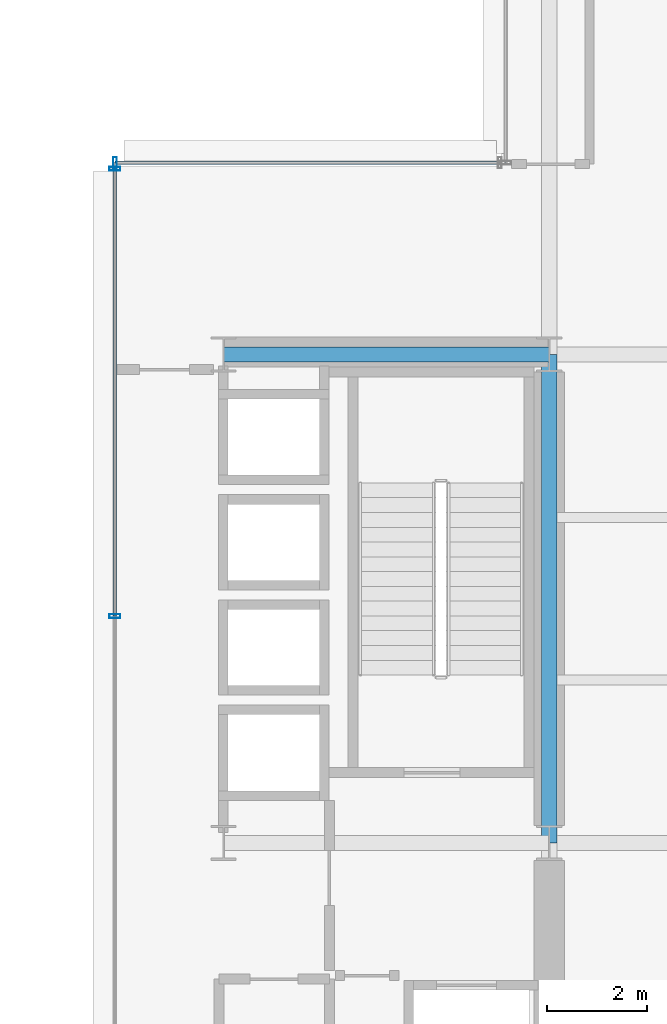
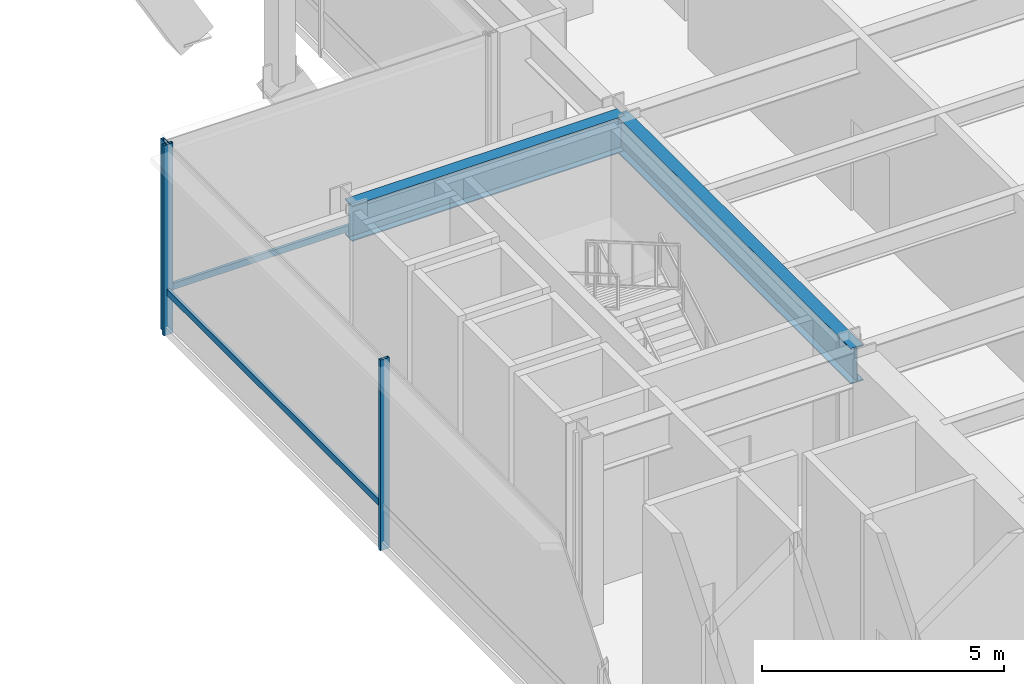
# One storey, part 20 of 40: 5 members, 2 beams, 2 elements without a shape of their own.
"""IFC4 building model written with IfcOpenShell, lengths in metres."""

import ifcopenshell
import ifcopenshell.guid

model = None  # the IFC model being written
_history = None  # IfcOwnerHistory: only IFC2X3 demands one
_inside = {}  # id of a spatial element -> (the spatial element, [elements in it])
_under = {}  # id of a project, library or spatial element -> (it, [spatial elements below it])
_declared = {}  # id of a project -> (the project, [libraries it declares])
_typed = {}  # id of a type object -> (the type object, [elements of that type])
_made_of = {}  # id of a material, layer set ... -> (it, [elements and type objects made of it])


def new_model(schema):
    """Start an empty IFC model of exactly this schema.

    Asked for "IFC4X3", IfcOpenShell would pick the latest addendum, in which some entities
    have other attributes; the version numbers below select the first issue.
    IFC2X3 requires an IfcOwnerHistory on every rooted entity: one is made here for all.
    """
    global model, _history
    if schema == "IFC4X3":
        model = ifcopenshell.file(schema_version=(4, 3, 0, 0))
    else:
        model = ifcopenshell.file(schema=schema)
    _inside.clear()
    _under.clear()
    _declared.clear()
    _typed.clear()
    _made_of.clear()
    _history = None
    if model.schema == "IFC2X3":
        org = make("IfcOrganization", Name="unknown")
        user = make(
            "IfcPersonAndOrganization",
            ThePerson=make("IfcPerson", FamilyName="unknown"),
            TheOrganization=org,
        )
        app = make(
            "IfcApplication",
            ApplicationDeveloper=org,
            Version="unknown",
            ApplicationFullName="unknown",
            ApplicationIdentifier="unknown",
        )
        _history = make(
            "IfcOwnerHistory",
            OwningUser=user,
            OwningApplication=app,
            ChangeAction="ADDED",
            CreationDate=0,
        )
    return model


def make(cls, **values):
    """One entity of the class cls with the attributes given. An attribute that is None is left unset."""
    return model.create_entity(
        cls, **{name: value for name, value in values.items() if value is not None}
    )


def rooted(cls, **values):
    """An entity with a GlobalId (a new one), such as an element, a storey or a relation."""
    return make(cls, GlobalId=ifcopenshell.guid.new(), OwnerHistory=_history, **values)


def si_unit(unit_type, name, prefix=None):
    """IfcSIUnit, for example si_unit("LENGTHUNIT", "METRE", prefix="MILLI")."""
    return make("IfcSIUnit", UnitType=unit_type, Prefix=prefix, Name=name)


def assignment(units):
    """IfcUnitAssignment: the units of a project."""
    return None if units is None else make("IfcUnitAssignment", Units=units)


def point(xyz):
    """IfcCartesianPoint."""
    return None if xyz is None else make("IfcCartesianPoint", Coordinates=xyz)


def direction(xyz):
    """IfcDirection."""
    return None if xyz is None else make("IfcDirection", DirectionRatios=xyz)


def frame(location, z_axis=None, x_axis=None):
    """IfcAxis2Placement3D, a coordinate frame: its origin and axes. An axis left out is left unset."""
    return make(
        "IfcAxis2Placement3D",
        Location=point(location),
        Axis=direction(z_axis),
        RefDirection=direction(x_axis),
    )


def frame_2d(location, x_axis=None):
    """IfcAxis2Placement2D, a coordinate frame in the plane: its origin and x axis."""
    return make(
        "IfcAxis2Placement2D", Location=point(location), RefDirection=direction(x_axis)
    )


def origin():
    """The frame at (0, 0, 0) with its axes left unset."""
    return frame((0.0, 0.0, 0.0))


def origin_2d():
    """The frame at (0, 0) in the plane with its x axis left unset."""
    return frame_2d((0.0, 0.0))


def place(relative_to, where):
    """IfcLocalPlacement: puts the frame where relative to a parent placement (None: the world)."""
    return make(
        "IfcLocalPlacement", PlacementRelTo=relative_to, RelativePlacement=where
    )


def context(
    kind, dimensions, precision=None, world=None, true_north=None, identifier=None
):
    """IfcGeometricRepresentationContext, for example the 3D "Model" context."""
    return make(
        "IfcGeometricRepresentationContext",
        ContextIdentifier=identifier,
        ContextType=kind,
        CoordinateSpaceDimension=dimensions,
        Precision=precision,
        WorldCoordinateSystem=world,
        TrueNorth=true_north,
    )


def subcontext(parent, identifier, kind, view, scale=None):
    """IfcGeometricRepresentationSubContext, for example "Body" below "Model"."""
    return make(
        "IfcGeometricRepresentationSubContext",
        ContextIdentifier=identifier,
        ContextType=kind,
        ParentContext=parent,
        TargetScale=scale,
        TargetView=view,
    )


def project(units=None, contexts=None):
    """IfcProject with its units and contexts."""
    return rooted(
        "IfcProject",
        Name="project",
        RepresentationContexts=contexts,
        UnitsInContext=assignment(units),
    )


def spatial(cls, under=None, at=None, **own):
    """A site, building, storey or space (cls), placed at a placement, below another one or the project."""
    s = rooted(cls, ObjectPlacement=at, **own)
    if under is not None:
        _under.setdefault(under.id(), (under, []))[1].append(s)
    return s


def profile(cls, at=None, kind="AREA", **sizes):
    """A parametric profile (cls). Its sizes go by their IFC names, for example OverallWidth=200.0."""
    return make(cls, ProfileType=kind, Position=at, **sizes)


def hollow_rectangle(**sizes):
    """IfcRectangleHollowProfileDef."""
    return profile("IfcRectangleHollowProfileDef", **sizes)


def i_section(**sizes):
    """IfcIShapeProfileDef."""
    return profile("IfcIShapeProfileDef", **sizes)


def extrude(swept, where, along, depth):
    """IfcExtrudedAreaSolid: the profile swept, set in the frame where, extruded along a direction by depth."""
    return make(
        "IfcExtrudedAreaSolid",
        SweptArea=swept,
        Position=where,
        ExtrudedDirection=direction(along),
        Depth=depth,
    )


def shape(context_of_items, identifier, shape_type, items):
    """IfcShapeRepresentation: the items that make up one representation, for example the "Body"."""
    return make(
        "IfcShapeRepresentation",
        ContextOfItems=context_of_items,
        RepresentationIdentifier=identifier,
        RepresentationType=shape_type,
        Items=items,
    )


def material(Name=None, Category=None):
    """IfcMaterial."""
    return make("IfcMaterial", Name=Name, Category=Category)


def layer(
    of_material, thickness, ventilated=None, Name=None, Category=None, Priority=None
):
    """IfcMaterialLayer: one layer of a wall or slab, of a material (None: an air gap)."""
    return make(
        "IfcMaterialLayer",
        Material=of_material,
        LayerThickness=thickness,
        IsVentilated=ventilated,
        Name=Name,
        Category=Category,
        Priority=Priority,
    )


def layer_set(layers, Name=None):
    """IfcMaterialLayerSet."""
    return make("IfcMaterialLayerSet", MaterialLayers=layers, LayerSetName=Name)


def material_profile(
    of_material, cross_section, Name=None, Category=None, Priority=None
):
    """IfcMaterialProfile: a cross section and its material."""
    return make(
        "IfcMaterialProfile",
        Name=Name,
        Material=of_material,
        Profile=cross_section,
        Priority=Priority,
        Category=Category,
    )


def profile_set(profiles, Name=None, composite=None):
    """IfcMaterialProfileSet."""
    return make(
        "IfcMaterialProfileSet",
        Name=Name,
        MaterialProfiles=profiles,
        CompositeProfile=composite,
    )


def made_of(thing, what):
    """Note that an element or type object is made of a material, layer set ...; save() writes the relation."""
    if what is not None:
        _made_of.setdefault(what.id(), (what, []))[1].append(thing)
    return thing


def type_object(cls, material=None, **own):
    """A type object (cls), such as IfcWallType, which elements share."""
    return made_of(rooted(cls, **own), material)


def element(
    cls,
    number,
    at=None,
    inside=None,
    cuts=None,
    type_object=None,
    material=None,
    context=None,
    identifier="Body",
    shape_type=None,
    held_by="IfcProductDefinitionShape",
    body=None,
    shapes=None,
    **own,
):
    """One element of the class cls, such as IfcWall. Its Tag is "e" and its number.

    at: its placement. inside: the storey or other place that contains it. cuts: it is an
    opening in that element (IfcRelVoidsElement). A single representation is given by context,
    identifier, shape_type and body (its items); several are given by shapes. held_by: the class
    of the entity that holds the representations. save() writes the other relations.
    """
    e = rooted(cls, Tag="e%d" % number, ObjectPlacement=at, **own)
    if body is not None:
        shapes = [shape(context, identifier, shape_type, body)]
    if shapes is not None:
        e.Representation = make(held_by, Representations=shapes)
    if inside is not None:
        _inside.setdefault(inside.id(), (inside, []))[1].append(e)
    if cuts is not None:
        rooted(
            "IfcRelVoidsElement", RelatingBuildingElement=cuts, RelatedOpeningElement=e
        )
    if type_object is not None:
        _typed.setdefault(type_object.id(), (type_object, []))[1].append(e)
    return made_of(e, material)


def aggregate(whole, parts):
    """IfcRelAggregates: a whole, such as a stair, and the parts it consists of."""
    return rooted("IfcRelAggregates", RelatingObject=whole, RelatedObjects=parts)


def save(model, path):
    """Write the relations noted so far, then the file.

    IfcRelAggregates (storeys below a building ...), IfcRelContainedInSpatialStructure (elements
    in a storey), IfcRelDefinesByType, IfcRelAssociatesMaterial and IfcRelDeclares: one each for
    every whole, place, type object, material and project.
    """
    for whole, parts in _under.values():
        aggregate(whole, parts)
    for where, things in _inside.values():
        rooted(
            "IfcRelContainedInSpatialStructure",
            RelatedElements=things,
            RelatingStructure=where,
        )
    for kind, things in _typed.values():
        rooted("IfcRelDefinesByType", RelatedObjects=things, RelatingType=kind)
    for what, things in _made_of.values():
        rooted("IfcRelAssociatesMaterial", RelatedObjects=things, RelatingMaterial=what)
    for by, libraries in _declared.values():
        rooted("IfcRelDeclares", RelatingContext=by, RelatedDefinitions=libraries)
    model.write(path)


model = new_model("IFC4")

# Units and contexts
model_context = context("Model", 3, precision=1e-05, world=origin(), true_north=direction((0.0, 1.0)))
body_context = subcontext(model_context, "Body", "Model", "MODEL_VIEW")
ifc_project = project(units=[si_unit("LENGTHUNIT", "METRE"), si_unit("AREAUNIT", "SQUARE_METRE"), si_unit("VOLUMEUNIT", "CUBIC_METRE"), si_unit("PLANEANGLEUNIT", "RADIAN"), si_unit("MASSUNIT", "GRAM", prefix="KILO")], contexts=[model_context])

# Site, building, storey
site_placement = place(None, origin())
site = spatial("IfcSite", under=ifc_project, at=site_placement, CompositionType="ELEMENT")
building_placement = place(site_placement, origin())
building = spatial("IfcBuilding", under=site, at=building_placement, Name="Brelmoor Portico Tower", CompositionType="ELEMENT")
storey_placement = place(building_placement, frame((0.0, 0.0, 4.800048828125)))
storey = spatial("IfcBuildingStorey", under=building, at=storey_placement, Name="L01", CompositionType="ELEMENT", Elevation=4.800048828125)

# Beams
ifc_material_1 = material(Name="Steel Q355B", Category="steel")
ifc_material_profile_1 = material_profile(ifc_material_1, i_section(OverallWidth=0.300048828125, OverallDepth=0.89990234375, WebThickness=0.01611328125, FlangeThickness=0.028076171875, at=origin_2d()), Name="HN 900x300x16x28")
ifc_profile_set_1 = profile_set([ifc_material_profile_1], Name="Steel Q355B")
beam_type = type_object("IfcBeamType", Name="BM-PG-900", PredefinedType="BEAM", material=ifc_profile_set_1)
beam_1_placement = place(storey_placement, frame((14.550048828125, 0.0, 4.1298828125), z_axis=(0.0, 1.0, 0.0), x_axis=(-1.0, 0.0, 0.0)))
element("IfcBeam", 1, at=beam_1_placement, inside=storey, type_object=beam_type, Name="L01 Primary Floor Girder PG-15", PredefinedType="BEAM", context=body_context, shape_type="SweptSolid", body=[
    extrude(i_section(OverallWidth=0.300048828125, OverallDepth=0.89990234375, WebThickness=0.01611328125, FlangeThickness=0.028076171875, at=origin_2d()), origin(), (0.0, 0.0, 1.0), 9.75),
])
beam_2_placement = place(storey_placement, frame((8.050048828125, 9.75, 4.1298828125), z_axis=(1.0, 0.0, 0.0), x_axis=(0.0, 1.0, 0.0)))
element("IfcBeam", 2, at=beam_2_placement, inside=storey, type_object=beam_type, Name="L01 Primary Floor Girder PG-35", PredefinedType="BEAM", context=body_context, shape_type="SweptSolid", body=[
    extrude(i_section(OverallWidth=0.300048828125, OverallDepth=0.89990234375, WebThickness=0.01611328125, FlangeThickness=0.028076171875, at=origin_2d()), origin(), (0.0, 0.0, 1.0), 6.5),
])

# Curtain wall, member
ifc_material_2 = material(Name="Anodised Aluminium Alloy 6063-T6", Category="aluminium")
ifc_layer = layer(ifc_material_2, 0.179931640625)
ifc_layer_set = layer_set([ifc_layer], Name="Anodised Aluminium Alloy 6063-T6")
curtain_wall_type = type_object("IfcCurtainWallType", Name="CW-PODIUM-ARCH", PredefinedType="NOTDEFINED", material=ifc_layer_set)
curtain_wall_1_placement = place(storey_placement, origin())
curtain_wall_1 = element("IfcCurtainWall", 3, at=curtain_wall_1_placement, inside=storey, type_object=curtain_wall_type, Name="L01 Curtain Wall CW-L01-14", PredefinedType="NOTDEFINED")
ifc_material_profile_2 = material_profile(ifc_material_2, hollow_rectangle(XDim=0.074951171875, YDim=0.219970703125, WallThickness=0.0048828125, at=origin_2d()), Name="ALU MULLION 75x220")
ifc_profile_set_2 = profile_set([ifc_material_profile_2], Name="Anodised Aluminium Alloy 6063-T6")
member_type_1 = type_object("IfcMemberType", Name="MB-CW-MULL-220", PredefinedType="MULLION", material=ifc_profile_set_2)
member_1_placement = place(storey_placement, frame((5.8798828125, 13.580078125, -0.219970703125), z_axis=(0.0, 0.0, 1.0), x_axis=(1.0, 0.0, 0.0)))
member_1 = element("IfcMember", 4, at=member_1_placement, type_object=member_type_1, Name="CW-L01-14 Mullion 00", PredefinedType="MULLION", context=body_context, shape_type="SweptSolid", body=[
    extrude(hollow_rectangle(XDim=0.074951171875, YDim=0.219970703125, WallThickness=0.0048828125, at=origin_2d()), origin(), (0.0, 0.0, 1.0), 4.7998046875),
])

# Curtain wall, members
curtain_wall_2_placement = place(storey_placement, origin())
curtain_wall_2 = element("IfcCurtainWall", 5, at=curtain_wall_2_placement, inside=storey, type_object=curtain_wall_type, Name="L01 Curtain Wall CW-L01-16", PredefinedType="NOTDEFINED")
member_2_placement = place(storey_placement, frame((5.8798828125, 4.526611328125, -0.219970703125), z_axis=(0.0, 0.0, 1.0), x_axis=(0.0, 1.0, 0.0)))
member_2 = element("IfcMember", 6, at=member_2_placement, type_object=member_type_1, Name="CW-L01-16 Mullion 02", PredefinedType="MULLION", context=body_context, shape_type="SweptSolid", body=[
    extrude(hollow_rectangle(XDim=0.074951171875, YDim=0.219970703125, WallThickness=0.0048828125, at=origin_2d()), origin(), (0.0, 0.0, 1.0), 4.7998046875),
])
member_3_placement = place(storey_placement, frame((5.8798828125, 13.4599609375, -0.219970703125), z_axis=(0.0, 0.0, 1.0), x_axis=(0.0, 1.0, 0.0)))
member_3 = element("IfcMember", 7, at=member_3_placement, type_object=member_type_1, Name="CW-L01-16 Mullion 03", PredefinedType="MULLION", context=body_context, shape_type="SweptSolid", body=[
    extrude(hollow_rectangle(XDim=0.074951171875, YDim=0.219970703125, WallThickness=0.0048828125, at=origin_2d()), origin(), (0.0, 0.0, 1.0), 4.7998046875),
])

# Member
ifc_material_profile_3 = material_profile(ifc_material_2, hollow_rectangle(XDim=0.070068359375, YDim=0.159912109375, WallThickness=0.00390625, at=origin_2d()), Name="ALU TRANSOM 70x160")
ifc_profile_set_3 = profile_set([ifc_material_profile_3], Name="Anodised Aluminium Alloy 6063-T6")
member_type_2 = type_object("IfcMemberType", Name="MB-CW-TRAN-160", PredefinedType="USERDEFINED", material=ifc_profile_set_3)
member_4_placement = place(storey_placement, frame((5.8798828125, 13.580078125, 0.849853515625), z_axis=(1.0, 0.0, 0.0), x_axis=(0.0, 1.0, 0.0)))
member_4 = element("IfcMember", 8, at=member_4_placement, type_object=member_type_2, Name="CW-L01-14 Transom 1-00", ObjectType="TRANSOM", PredefinedType="USERDEFINED", context=body_context, shape_type="SweptSolid", body=[
    extrude(hollow_rectangle(XDim=0.070068359375, YDim=0.159912109375, WallThickness=0.00390625, at=origin_2d()), origin(), (0.0, 0.0, 1.0), 7.800048828125),
])

aggregate(curtain_wall_1, [member_1, member_4])

member_5_placement = place(storey_placement, frame((5.8798828125, 4.526611328125, 0.849853515625), z_axis=(0.0, 1.0, 0.0), x_axis=(-1.0, 0.0, 0.0)))
member_5 = element("IfcMember", 9, at=member_5_placement, type_object=member_type_2, Name="CW-L01-16 Transom 1-02", ObjectType="TRANSOM", PredefinedType="USERDEFINED", context=body_context, shape_type="SweptSolid", body=[
    extrude(hollow_rectangle(XDim=0.070068359375, YDim=0.159912109375, WallThickness=0.00390625, at=origin_2d()), origin(), (0.0, 0.0, 1.0), 9.053466796875),
])

aggregate(curtain_wall_2, [member_2, member_3, member_5])

save(model, "model.ifc")
